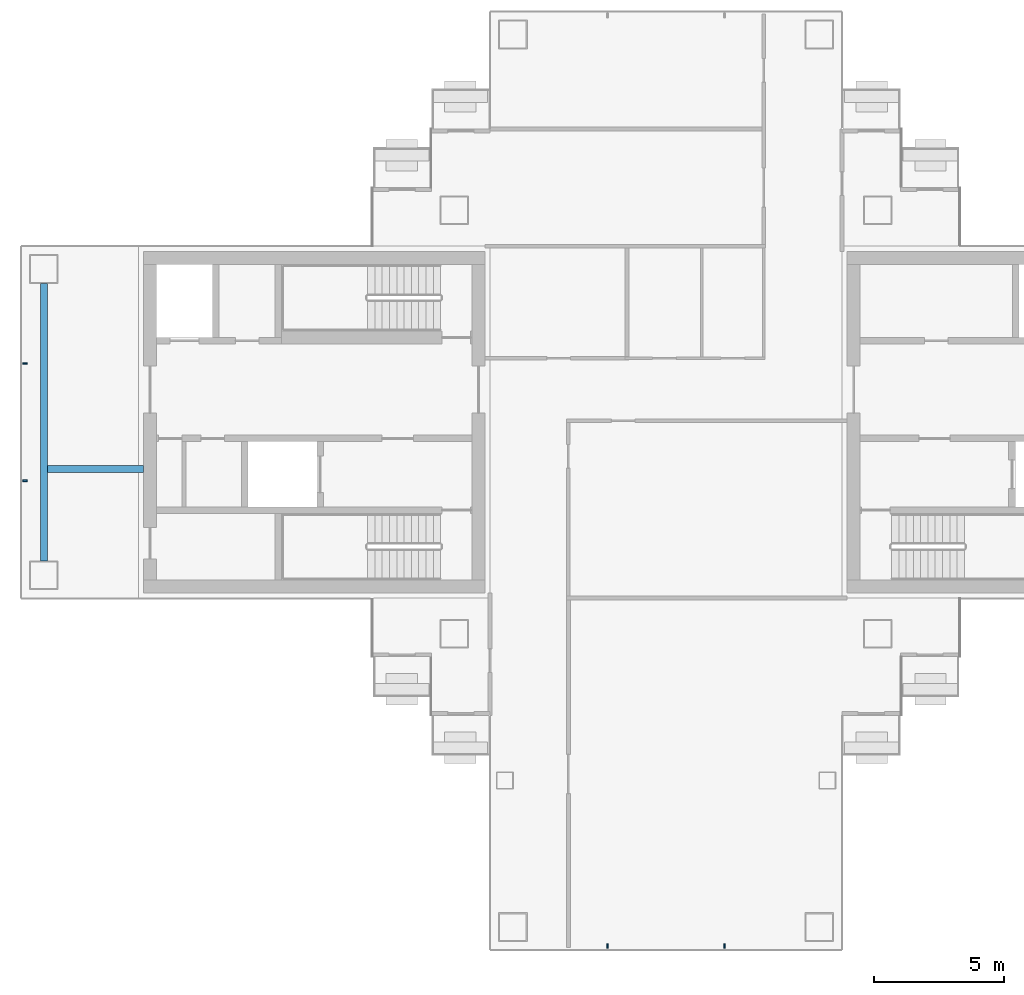
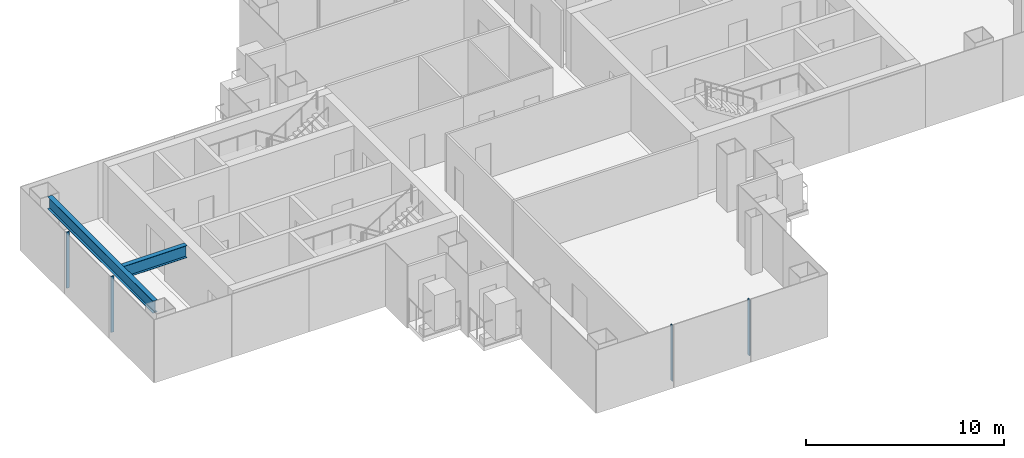
# One storey, part 3 of 16: 4 members, 2 beams, 2 elements without a shape of their own.
"""IFC4 building model written with IfcOpenShell, lengths in metres."""

from ifc_helpers import new_model, si_unit, direction, frame, origin, origin_2d, place, context, subcontext, project, spatial, rectangle, i_section, extrude, material, layer, layer_set, material_profile, profile_set, type_object, element, aggregate, save


model = new_model("IFC4")

# Units and contexts
model_context = context("Model", 3, precision=1e-05, world=origin(), true_north=direction((0.0, 1.0)))
body_context = subcontext(model_context, "Body", "Model", "MODEL_VIEW")
ifc_project = project(units=[si_unit("LENGTHUNIT", "METRE"), si_unit("AREAUNIT", "SQUARE_METRE"), si_unit("VOLUMEUNIT", "CUBIC_METRE"), si_unit("PLANEANGLEUNIT", "RADIAN"), si_unit("MASSUNIT", "GRAM", prefix="KILO")], contexts=[model_context])

# Site, building, storey
site_placement = place(None, origin())
site = spatial("IfcSite", under=ifc_project, at=site_placement, CompositionType="ELEMENT")
building_placement = place(site_placement, origin())
building = spatial("IfcBuilding", under=site, at=building_placement, Name="Shamsa Quay Exchange Towers", CompositionType="ELEMENT")
storey_placement = place(building_placement, frame((0.0, 0.0, 150.60009765625)))
storey = spatial("IfcBuildingStorey", under=building, at=storey_placement, Name="L35", CompositionType="ELEMENT", Elevation=150.60009765625)

# Curtain wall, members
ifc_material_1 = material(Name="Aluminium EN AW-6063 T6, black anodised", Category="aluminium")
ifc_layer = layer(ifc_material_1, 0.280029296875)
ifc_layer_set = layer_set([ifc_layer], Name="CW-1 UNITISED VISION GLASS")
curtain_wall_type = type_object("IfcCurtainWallType", Name="CW-1 UNITISED VISION GLASS", PredefinedType="NOTDEFINED", material=ifc_layer_set)
curtain_wall_1_placement = place(storey_placement, origin())
curtain_wall_1 = element("IfcCurtainWall", 1, at=curtain_wall_1_placement, inside=storey, type_object=curtain_wall_type, Name="CW1 T1-END-V- L35", PredefinedType="NOTDEFINED")
ifc_material_profile_1 = material_profile(ifc_material_1, rectangle(XDim=0.179931640625, YDim=0.06005859375, at=origin_2d()), Name="MU60x180")
ifc_profile_set_1 = profile_set([ifc_material_profile_1], Name="Aluminium EN AW-6063 T6, black anodised")
member_type = type_object("IfcMemberType", Name="CW1 MULLION 60x180", PredefinedType="MULLION", material=ifc_profile_set_1)
member_1_placement = place(storey_placement, frame((-36.0, -20.10009765625, 0.0), z_axis=(0.0, 0.0, 1.0), x_axis=(0.0, 1.0, 0.0)))
member_1 = element("IfcMember", 2, at=member_1_placement, type_object=member_type, Name="CW1 mullion", PredefinedType="MULLION", context=body_context, shape_type="SweptSolid", body=[
    extrude(rectangle(XDim=0.179931640625, YDim=0.06005859375, at=origin_2d()), origin(), (0.0, 0.0, 1.0), 3.449951171875),
])
member_2_placement = place(storey_placement, frame((-31.5, -20.10009765625, 0.0), z_axis=(0.0, 0.0, 1.0), x_axis=(0.0, 1.0, 0.0)))
member_2 = element("IfcMember", 3, at=member_2_placement, type_object=member_type, Name="CW1 mullion", PredefinedType="MULLION", context=body_context, shape_type="SweptSolid", body=[
    extrude(rectangle(XDim=0.179931640625, YDim=0.06005859375, at=origin_2d()), origin(), (0.0, 0.0, 1.0), 3.449951171875),
])
aggregate(curtain_wall_1, [member_1, member_2])

curtain_wall_2_placement = place(storey_placement, origin())
curtain_wall_2 = element("IfcCurtainWall", 4, at=curtain_wall_2_placement, inside=storey, type_object=curtain_wall_type, Name="CW1 T1-END-U- L35", PredefinedType="NOTDEFINED")
member_3_placement = place(storey_placement, frame((-58.35009765625, 2.25, 0.0)))
member_3 = element("IfcMember", 5, at=member_3_placement, type_object=member_type, Name="CW1 mullion", PredefinedType="MULLION", context=body_context, shape_type="SweptSolid", body=[
    extrude(rectangle(XDim=0.179931640625, YDim=0.06005859375, at=origin_2d()), origin(), (0.0, 0.0, 1.0), 3.449951171875),
])
member_4_placement = place(storey_placement, frame((-58.35009765625, -2.25, 0.0)))
member_4 = element("IfcMember", 6, at=member_4_placement, type_object=member_type, Name="CW1 mullion", PredefinedType="MULLION", context=body_context, shape_type="SweptSolid", body=[
    extrude(rectangle(XDim=0.179931640625, YDim=0.06005859375, at=origin_2d()), origin(), (0.0, 0.0, 1.0), 3.449951171875),
])
aggregate(curtain_wall_2, [member_3, member_4])

# Beams
ifc_material_2 = material(Name="Steel S355", Category="steel")
ifc_material_profile_2 = material_profile(ifc_material_2, i_section(OverallWidth=0.26611328125, OverallDepth=0.7578125, WebThickness=0.013916015625, FlangeThickness=0.019287109375, at=origin_2d()), Name="W30x108")
ifc_profile_set_2 = profile_set([ifc_material_profile_2], Name="Steel S355")
beam_type = type_object("IfcBeamType", Name="End-zone beam W30x108", PredefinedType="BEAM", material=ifc_profile_set_2)
beam_1_placement = place(storey_placement, frame((-57.625, -5.324951171875, 3.171142578125), z_axis=(0.0, 1.0, 0.0), x_axis=(-1.0, 0.0, 0.0)))
element("IfcBeam", 7, at=beam_1_placement, inside=storey, type_object=beam_type, Name="End beam T1 U- end zone L35", PredefinedType="BEAM", context=body_context, shape_type="SweptSolid", body=[
    extrude(i_section(OverallWidth=0.26611328125, OverallDepth=0.7578125, WebThickness=0.013916015625, FlangeThickness=0.019287109375, at=origin_2d()), origin(), (0.0, 0.0, 1.0), 10.64990234375),
])
beam_2_placement = place(storey_placement, frame((-53.800048828125, -1.800048828125, 3.171142578125), z_axis=(-1.0, 0.0, 0.0), x_axis=(0.0, -1.0, 0.0)))
element("IfcBeam", 8, at=beam_2_placement, inside=storey, type_object=beam_type, Name="Spine beam T1 U- end zone L35", PredefinedType="BEAM", context=body_context, shape_type="SweptSolid", body=[
    extrude(i_section(OverallWidth=0.26611328125, OverallDepth=0.7578125, WebThickness=0.013916015625, FlangeThickness=0.019287109375, at=origin_2d()), origin(), (0.0, 0.0, 1.0), 3.69189453125),
])

save(model, "model.ifc")
